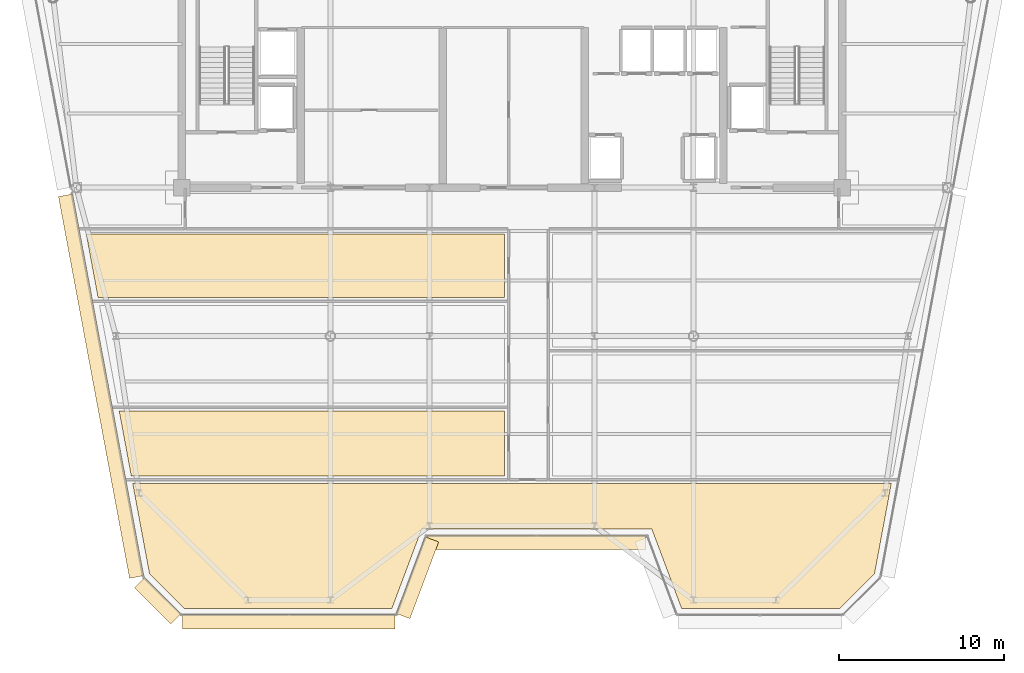
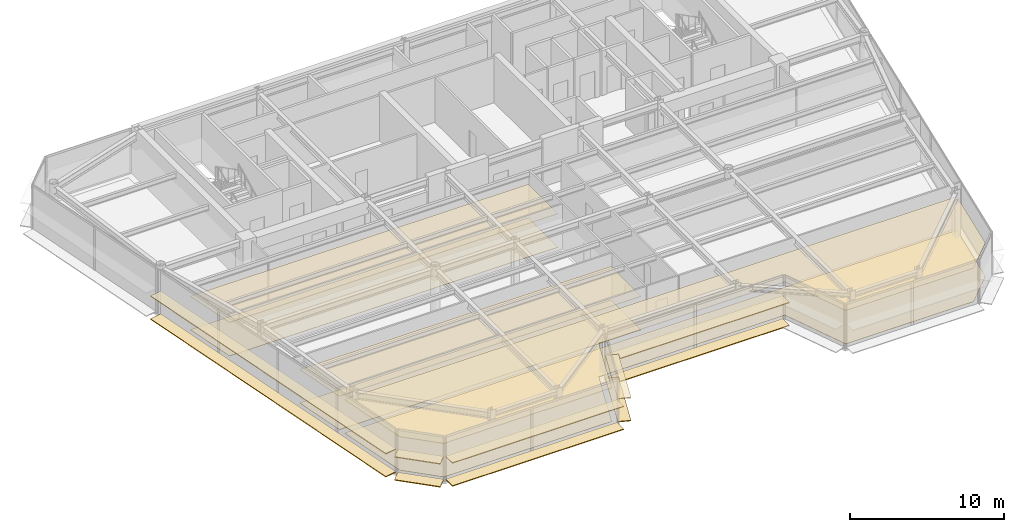
# One storey, part 12 of 18: 16 coverings.
"""IFC4 building model written with IfcOpenShell, lengths in metres."""

import ifcopenshell
import ifcopenshell.guid

model = None  # the IFC model being written
_history = None  # IfcOwnerHistory: only IFC2X3 demands one
_inside = {}  # id of a spatial element -> (the spatial element, [elements in it])
_under = {}  # id of a project, library or spatial element -> (it, [spatial elements below it])
_declared = {}  # id of a project -> (the project, [libraries it declares])
_typed = {}  # id of a type object -> (the type object, [elements of that type])
_made_of = {}  # id of a material, layer set ... -> (it, [elements and type objects made of it])


def new_model(schema):
    """Start an empty IFC model of exactly this schema.

    Asked for "IFC4X3", IfcOpenShell would pick the latest addendum, in which some entities
    have other attributes; the version numbers below select the first issue.
    IFC2X3 requires an IfcOwnerHistory on every rooted entity: one is made here for all.
    """
    global model, _history
    if schema == "IFC4X3":
        model = ifcopenshell.file(schema_version=(4, 3, 0, 0))
    else:
        model = ifcopenshell.file(schema=schema)
    _inside.clear()
    _under.clear()
    _declared.clear()
    _typed.clear()
    _made_of.clear()
    _history = None
    if model.schema == "IFC2X3":
        org = make("IfcOrganization", Name="unknown")
        user = make(
            "IfcPersonAndOrganization",
            ThePerson=make("IfcPerson", FamilyName="unknown"),
            TheOrganization=org,
        )
        app = make(
            "IfcApplication",
            ApplicationDeveloper=org,
            Version="unknown",
            ApplicationFullName="unknown",
            ApplicationIdentifier="unknown",
        )
        _history = make(
            "IfcOwnerHistory",
            OwningUser=user,
            OwningApplication=app,
            ChangeAction="ADDED",
            CreationDate=0,
        )
    return model


def make(cls, **values):
    """One entity of the class cls with the attributes given. An attribute that is None is left unset."""
    return model.create_entity(
        cls, **{name: value for name, value in values.items() if value is not None}
    )


def rooted(cls, **values):
    """An entity with a GlobalId (a new one), such as an element, a storey or a relation."""
    return make(cls, GlobalId=ifcopenshell.guid.new(), OwnerHistory=_history, **values)


def si_unit(unit_type, name, prefix=None):
    """IfcSIUnit, for example si_unit("LENGTHUNIT", "METRE", prefix="MILLI")."""
    return make("IfcSIUnit", UnitType=unit_type, Prefix=prefix, Name=name)


def assignment(units):
    """IfcUnitAssignment: the units of a project."""
    return None if units is None else make("IfcUnitAssignment", Units=units)


def point(xyz):
    """IfcCartesianPoint."""
    return None if xyz is None else make("IfcCartesianPoint", Coordinates=xyz)


def direction(xyz):
    """IfcDirection."""
    return None if xyz is None else make("IfcDirection", DirectionRatios=xyz)


def frame(location, z_axis=None, x_axis=None):
    """IfcAxis2Placement3D, a coordinate frame: its origin and axes. An axis left out is left unset."""
    return make(
        "IfcAxis2Placement3D",
        Location=point(location),
        Axis=direction(z_axis),
        RefDirection=direction(x_axis),
    )


def frame_2d(location, x_axis=None):
    """IfcAxis2Placement2D, a coordinate frame in the plane: its origin and x axis."""
    return make(
        "IfcAxis2Placement2D", Location=point(location), RefDirection=direction(x_axis)
    )


def origin():
    """The frame at (0, 0, 0) with its axes left unset."""
    return frame((0.0, 0.0, 0.0))


def origin_2d():
    """The frame at (0, 0) in the plane with its x axis left unset."""
    return frame_2d((0.0, 0.0))


def place(relative_to, where):
    """IfcLocalPlacement: puts the frame where relative to a parent placement (None: the world)."""
    return make(
        "IfcLocalPlacement", PlacementRelTo=relative_to, RelativePlacement=where
    )


def context(
    kind, dimensions, precision=None, world=None, true_north=None, identifier=None
):
    """IfcGeometricRepresentationContext, for example the 3D "Model" context."""
    return make(
        "IfcGeometricRepresentationContext",
        ContextIdentifier=identifier,
        ContextType=kind,
        CoordinateSpaceDimension=dimensions,
        Precision=precision,
        WorldCoordinateSystem=world,
        TrueNorth=true_north,
    )


def subcontext(parent, identifier, kind, view, scale=None):
    """IfcGeometricRepresentationSubContext, for example "Body" below "Model"."""
    return make(
        "IfcGeometricRepresentationSubContext",
        ContextIdentifier=identifier,
        ContextType=kind,
        ParentContext=parent,
        TargetScale=scale,
        TargetView=view,
    )


def project(units=None, contexts=None):
    """IfcProject with its units and contexts."""
    return rooted(
        "IfcProject",
        Name="project",
        RepresentationContexts=contexts,
        UnitsInContext=assignment(units),
    )


def spatial(cls, under=None, at=None, **own):
    """A site, building, storey or space (cls), placed at a placement, below another one or the project."""
    s = rooted(cls, ObjectPlacement=at, **own)
    if under is not None:
        _under.setdefault(under.id(), (under, []))[1].append(s)
    return s


def polyline(points):
    """IfcPolyline through the points."""
    return make("IfcPolyline", Points=[point(p) for p in points])


def profile(cls, at=None, kind="AREA", **sizes):
    """A parametric profile (cls). Its sizes go by their IFC names, for example OverallWidth=200.0."""
    return make(cls, ProfileType=kind, Position=at, **sizes)


def rectangle(**sizes):
    """IfcRectangleProfileDef."""
    return profile("IfcRectangleProfileDef", **sizes)


def outline(outer, holes=None, kind="AREA"):
    """IfcArbitraryClosedProfileDef: a profile drawn as a closed curve; with holes, ...WithVoids."""
    if holes is None:
        return make("IfcArbitraryClosedProfileDef", ProfileType=kind, OuterCurve=outer)
    return make(
        "IfcArbitraryProfileDefWithVoids",
        ProfileType=kind,
        OuterCurve=outer,
        InnerCurves=holes,
    )


def extrude(swept, where, along, depth):
    """IfcExtrudedAreaSolid: the profile swept, set in the frame where, extruded along a direction by depth."""
    return make(
        "IfcExtrudedAreaSolid",
        SweptArea=swept,
        Position=where,
        ExtrudedDirection=direction(along),
        Depth=depth,
    )


def shape(context_of_items, identifier, shape_type, items):
    """IfcShapeRepresentation: the items that make up one representation, for example the "Body"."""
    return make(
        "IfcShapeRepresentation",
        ContextOfItems=context_of_items,
        RepresentationIdentifier=identifier,
        RepresentationType=shape_type,
        Items=items,
    )


def source(mapping_origin, context_of_items, identifier, shape_type, items):
    """IfcRepresentationMap: a shape defined once, which mapped items show again and again."""
    return make(
        "IfcRepresentationMap",
        MappingOrigin=mapping_origin,
        MappedRepresentation=shape(context_of_items, identifier, shape_type, items),
    )


def transform(
    local_origin,
    x_axis=None,
    y_axis=None,
    z_axis=None,
    scale=None,
    scale2=None,
    scale3=None,
    uniform=True,
):
    """IfcCartesianTransformationOperator3D, or its non-uniform kind. x_axis, y_axis, z_axis: its Axis1, 2, 3."""
    if uniform:
        return make(
            "IfcCartesianTransformationOperator3D",
            Axis1=direction(x_axis),
            Axis2=direction(y_axis),
            LocalOrigin=point(local_origin),
            Scale=scale,
            Axis3=direction(z_axis),
        )
    return make(
        "IfcCartesianTransformationOperator3DnonUniform",
        Axis1=direction(x_axis),
        Axis2=direction(y_axis),
        LocalOrigin=point(local_origin),
        Scale=scale,
        Axis3=direction(z_axis),
        Scale2=scale2,
        Scale3=scale3,
    )


def mapped(mapping_source, mapping_target):
    """IfcMappedItem: shows the shape of a source again, moved by a transform."""
    return make(
        "IfcMappedItem", MappingSource=mapping_source, MappingTarget=mapping_target
    )


def material(Name=None, Category=None):
    """IfcMaterial."""
    return make("IfcMaterial", Name=Name, Category=Category)


def layer(
    of_material, thickness, ventilated=None, Name=None, Category=None, Priority=None
):
    """IfcMaterialLayer: one layer of a wall or slab, of a material (None: an air gap)."""
    return make(
        "IfcMaterialLayer",
        Material=of_material,
        LayerThickness=thickness,
        IsVentilated=ventilated,
        Name=Name,
        Category=Category,
        Priority=Priority,
    )


def layer_set(layers, Name=None):
    """IfcMaterialLayerSet."""
    return make("IfcMaterialLayerSet", MaterialLayers=layers, LayerSetName=Name)


def made_of(thing, what):
    """Note that an element or type object is made of a material, layer set ...; save() writes the relation."""
    if what is not None:
        _made_of.setdefault(what.id(), (what, []))[1].append(thing)
    return thing


def type_object(cls, material=None, **own):
    """A type object (cls), such as IfcWallType, which elements share."""
    return made_of(rooted(cls, **own), material)


def element(
    cls,
    number,
    at=None,
    inside=None,
    cuts=None,
    type_object=None,
    material=None,
    context=None,
    identifier="Body",
    shape_type=None,
    held_by="IfcProductDefinitionShape",
    body=None,
    shapes=None,
    **own,
):
    """One element of the class cls, such as IfcWall. Its Tag is "e" and its number.

    at: its placement. inside: the storey or other place that contains it. cuts: it is an
    opening in that element (IfcRelVoidsElement). A single representation is given by context,
    identifier, shape_type and body (its items); several are given by shapes. held_by: the class
    of the entity that holds the representations. save() writes the other relations.
    """
    e = rooted(cls, Tag="e%d" % number, ObjectPlacement=at, **own)
    if body is not None:
        shapes = [shape(context, identifier, shape_type, body)]
    if shapes is not None:
        e.Representation = make(held_by, Representations=shapes)
    if inside is not None:
        _inside.setdefault(inside.id(), (inside, []))[1].append(e)
    if cuts is not None:
        rooted(
            "IfcRelVoidsElement", RelatingBuildingElement=cuts, RelatedOpeningElement=e
        )
    if type_object is not None:
        _typed.setdefault(type_object.id(), (type_object, []))[1].append(e)
    return made_of(e, material)


def aggregate(whole, parts):
    """IfcRelAggregates: a whole, such as a stair, and the parts it consists of."""
    return rooted("IfcRelAggregates", RelatingObject=whole, RelatedObjects=parts)


def save(model, path):
    """Write the relations noted so far, then the file.

    IfcRelAggregates (storeys below a building ...), IfcRelContainedInSpatialStructure (elements
    in a storey), IfcRelDefinesByType, IfcRelAssociatesMaterial and IfcRelDeclares: one each for
    every whole, place, type object, material and project.
    """
    for whole, parts in _under.values():
        aggregate(whole, parts)
    for where, things in _inside.values():
        rooted(
            "IfcRelContainedInSpatialStructure",
            RelatedElements=things,
            RelatingStructure=where,
        )
    for kind, things in _typed.values():
        rooted("IfcRelDefinesByType", RelatedObjects=things, RelatingType=kind)
    for what, things in _made_of.values():
        rooted("IfcRelAssociatesMaterial", RelatedObjects=things, RelatingMaterial=what)
    for by, libraries in _declared.values():
        rooted("IfcRelDeclares", RelatingContext=by, RelatedDefinitions=libraries)
    model.write(path)


model = new_model("IFC4")

# Units and contexts
model_context = context("Model", 3, precision=1e-05, world=origin(), true_north=direction((0.0, 1.0)))
body_context = subcontext(model_context, "Body", "Model", "MODEL_VIEW")
ifc_project = project(units=[si_unit("LENGTHUNIT", "METRE"), si_unit("AREAUNIT", "SQUARE_METRE"), si_unit("VOLUMEUNIT", "CUBIC_METRE"), si_unit("PLANEANGLEUNIT", "RADIAN"), si_unit("MASSUNIT", "GRAM", prefix="KILO")], contexts=[model_context])

# Site, building, storey
site_placement = place(None, origin())
site = spatial("IfcSite", under=ifc_project, at=site_placement, CompositionType="ELEMENT")
building_placement = place(site_placement, origin())
building = spatial("IfcBuilding", under=site, at=building_placement, Name="Vaeldorn Concourse Tower", CompositionType="ELEMENT")
storey_placement = place(building_placement, frame((0.0, 0.0, 257.39990234375)))
storey = spatial("IfcBuildingStorey", under=building, at=storey_placement, Name="L66", CompositionType="ELEMENT", Elevation=257.39990234375)

# Coverings
ifc_material_1 = material(Name="Acoustic Mineral Fibre Board", Category="gypsum")
ifc_layer_1 = layer(ifc_material_1, 0.0400390625)
ifc_layer_set_1 = layer_set([ifc_layer_1], Name="Acoustic Mineral Fibre Board")
covering_type_1 = type_object("IfcCoveringType", Name="COV-CEIL-ACOUSTIC", PredefinedType="CEILING", material=ifc_layer_set_1)
covering_1_placement = place(storey_placement, frame((0.0, 0.0, 2.650146484375)))
element("IfcCovering", 1, at=covering_1_placement, inside=storey, type_object=covering_type_1, Name="Suspended Acoustic Ceiling L66-5", PredefinedType="CEILING", context=body_context, shape_type="SweptSolid", body=[
    extrude(outline(polyline([(33.56005859375, 22.9599609375), (33.56005859375, 19.0400390625), (10.9296875, 19.0400390625), (10.19970703125, 22.9599609375), (33.56005859375, 22.9599609375)])), origin(), (0.0, 0.0, 1.0), 0.0400390625),
])
covering_2_placement = place(storey_placement, frame((0.0, 0.0, 2.650146484375)))
element("IfcCovering", 2, at=covering_2_placement, inside=storey, type_object=covering_type_1, Name="Suspended Acoustic Ceiling L66-7", PredefinedType="CEILING", context=body_context, shape_type="SweptSolid", body=[
    extrude(outline(polyline([(33.56005859375, 33.699951171875), (33.56005859375, 29.840087890625), (8.918701171875, 29.840087890625), (8.199951171875, 33.699951171875), (33.56005859375, 33.699951171875)])), origin(), (0.0, 0.0, 1.0), 0.0400390625),
])
covering_3_placement = place(storey_placement, frame((0.0, 0.0, 2.650146484375)))
element("IfcCovering", 3, at=covering_3_placement, inside=storey, type_object=covering_type_1, Name="Suspended Acoustic Ceiling L66-10", PredefinedType="CEILING", context=body_context, shape_type="SweptSolid", body=[
    extrude(outline(polyline([(56.98095703125, 18.56005859375), (56.936767578125, 18.322021484375), (56.8330078125, 17.76513671875), (56.455322265625, 15.735595703125), (56.455078125, 15.735595703125), (55.96337890625, 13.09521484375), (53.868408203125, 11.0), (44.277099609375, 11.0), (42.477294921875, 15.800048828125), (28.522705078125, 15.800048828125), (26.722900390625, 11.0), (14.131591796875, 11.0), (12.03662109375, 13.09521484375), (11.683349609375, 14.991455078125), (11.1669921875, 17.76513671875), (11.01904296875, 18.56005859375), (56.98095703125, 18.56005859375)])), origin(), (0.0, 0.0, 1.0), 0.0400390625),
])
ifc_material_2 = material(Name="Honed Limestone Terrazzo Flooring", Category="masonry")
ifc_layer_2 = layer(ifc_material_2, 0.0400390625)
ifc_layer_set_2 = layer_set([ifc_layer_2], Name="Honed Limestone Terrazzo Flooring")
covering_type_2 = type_object("IfcCoveringType", Name="COV-FLOOR-STONE", PredefinedType="FLOORING", material=ifc_layer_set_2)
covering_4_placement = place(storey_placement, origin())
element("IfcCovering", 4, at=covering_4_placement, inside=storey, type_object=covering_type_2, Name="Floor Finish Covering L66-5", PredefinedType="FLOORING", context=body_context, shape_type="SweptSolid", body=[
    extrude(outline(polyline([(33.56005859375, 22.9599609375), (33.56005859375, 19.0400390625), (10.9296875, 19.0400390625), (10.19970703125, 22.9599609375), (33.56005859375, 22.9599609375)])), origin(), (0.0, 0.0, 1.0), 0.030029296875),
])
covering_5_placement = place(storey_placement, origin())
element("IfcCovering", 5, at=covering_5_placement, inside=storey, type_object=covering_type_2, Name="Floor Finish Covering L66-7", PredefinedType="FLOORING", context=body_context, shape_type="SweptSolid", body=[
    extrude(outline(polyline([(33.56005859375, 33.699951171875), (33.56005859375, 29.840087890625), (8.918701171875, 29.840087890625), (8.199951171875, 33.699951171875), (33.56005859375, 33.699951171875)])), origin(), (0.0, 0.0, 1.0), 0.030029296875),
])
covering_6_placement = place(storey_placement, origin())
element("IfcCovering", 6, at=covering_6_placement, inside=storey, type_object=covering_type_2, Name="Floor Finish Covering L66-10", PredefinedType="FLOORING", context=body_context, shape_type="SweptSolid", body=[
    extrude(outline(polyline([(56.98095703125, 18.56005859375), (56.936767578125, 18.322021484375), (56.8330078125, 17.76513671875), (56.455322265625, 15.735595703125), (56.455078125, 15.735595703125), (55.96337890625, 13.09521484375), (53.868408203125, 11.0), (44.277099609375, 11.0), (42.477294921875, 15.800048828125), (28.522705078125, 15.800048828125), (26.722900390625, 11.0), (14.131591796875, 11.0), (12.03662109375, 13.09521484375), (11.683349609375, 14.991455078125), (11.1669921875, 17.76513671875), (11.01904296875, 18.56005859375), (56.98095703125, 18.56005859375)])), origin(), (0.0, 0.0, 1.0), 0.030029296875),
])
ifc_material_3 = material(Name="Anodised Bronze Aluminium", Category="aluminium")
ifc_layer_3 = layer(ifc_material_3, 0.06494140625)
ifc_layer_set_3 = layer_set([ifc_layer_3], Name="Anodised Bronze Aluminium")
covering_type_3 = type_object("IfcCoveringType", Name="SD-BRONZE-SUNSHADE", PredefinedType="USERDEFINED", material=ifc_layer_set_3)
shared_shape_1 = source(origin(), body_context, "Body", "SweptSolid", [
    extrude(rectangle(XDim=4.96630859375, YDim=0.8798828125, at=origin_2d()), origin(), (0.0, 0.0, 1.0), 0.06494140625),
])
for number, where, z_axis, x_axis, name in (
    (7, (28.2744140625, 12.859619140625, 0.047607421875), (0.0, 0.0, 1.0), (0.351122702609, 0.936329454686, 0.0), "Horizontal Bronze Sunshade L66-E02.1.1"),
    (8, (28.2744140625, 12.859619140625, 1.86767578125), (0.0, 0.0, 1.0), (0.351122702609, 0.936329454686, 0.0), "Horizontal Bronze Sunshade L66-E02.1.2"),
):
    element("IfcCovering", number, at=place(storey_placement, frame(where, z_axis=z_axis, x_axis=x_axis)), inside=storey, type_object=covering_type_3, Name=name, ObjectType="SUNSHADE", PredefinedType="USERDEFINED", context=body_context, shape_type="MappedRepresentation", body=[
        mapped(shared_shape_1, transform((0.0, 0.0, 0.0), scale=1.0)),
    ])
shared_shape_2 = source(origin(), body_context, "Body", "SweptSolid", [
    extrude(rectangle(XDim=13.239990234375, YDim=0.8798828125, at=origin_2d()), origin(), (0.0, 0.0, 1.0), 0.06494140625),
])
for number, where, z_axis, x_axis, name in (
    (9, (35.5, 15.0, 0.047607421875), (0.0, 0.0, 1.0), (1.0, 0.0, 0.0), "Horizontal Bronze Sunshade L66-E03.1.1"),
    (10, (35.5, 15.0, 1.86767578125), (0.0, 0.0, 1.0), (1.0, 0.0, 0.0), "Horizontal Bronze Sunshade L66-E03.1.2"),
):
    element("IfcCovering", number, at=place(storey_placement, frame(where, z_axis=z_axis, x_axis=x_axis)), inside=storey, type_object=covering_type_3, Name=name, ObjectType="SUNSHADE", PredefinedType="USERDEFINED", context=body_context, shape_type="MappedRepresentation", body=[
        mapped(shared_shape_2, transform((0.0, 0.0, 0.0), scale=1.0)),
    ])
shared_shape_3 = source(origin(), body_context, "Body", "SweptSolid", [
    extrude(rectangle(XDim=3.0927734375, YDim=0.8798828125, at=origin_2d()), origin(), (0.0, 0.0, 1.0), 0.06494140625),
])
for number, where, z_axis, x_axis, name in (
    (11, (12.533203125, 11.46728515625, 0.047607421875), (0.0, 0.0, 1.0), (0.707106781187, -0.707106781187, 0.0), "Horizontal Bronze Sunshade L66-E12.1.1"),
    (12, (12.533203125, 11.46728515625, 1.86767578125), (0.0, 0.0, 1.0), (0.707106781187, -0.707106781187, 0.0), "Horizontal Bronze Sunshade L66-E12.1.2"),
):
    element("IfcCovering", number, at=place(storey_placement, frame(where, z_axis=z_axis, x_axis=x_axis)), inside=storey, type_object=covering_type_3, Name=name, ObjectType="SUNSHADE", PredefinedType="USERDEFINED", context=body_context, shape_type="MappedRepresentation", body=[
        mapped(shared_shape_3, transform((0.0, 0.0, 0.0), scale=1.0)),
    ])
shared_shape_4 = source(origin(), body_context, "Body", "SweptSolid", [
    extrude(rectangle(XDim=23.525146484375, YDim=0.8798828125, at=origin_2d()), origin(), (0.0, 0.0, 1.0), 0.06494140625),
])
for number, where, z_axis, x_axis, name in (
    (13, (9.10498046875, 24.46923828125, 0.047607421875), (0.0, 0.0, 1.0), (0.183059191151, -0.983101893262, 0.0), "Horizontal Bronze Sunshade L66-E11.2.1"),
    (14, (9.10498046875, 24.46923828125, 1.86767578125), (0.0, 0.0, 1.0), (0.183059191151, -0.983101893262, 0.0), "Horizontal Bronze Sunshade L66-E11.2.2"),
):
    element("IfcCovering", number, at=place(storey_placement, frame(where, z_axis=z_axis, x_axis=x_axis)), inside=storey, type_object=covering_type_3, Name=name, ObjectType="SUNSHADE", PredefinedType="USERDEFINED", context=body_context, shape_type="MappedRepresentation", body=[
        mapped(shared_shape_4, transform((0.0, 0.0, 0.0), scale=1.0)),
    ])
shared_shape_5 = source(origin(), body_context, "Body", "SweptSolid", [
    extrude(rectangle(XDim=12.8740234375, YDim=0.8798828125, at=origin_2d()), origin(), (0.0, 0.0, 1.0), 0.06494140625),
])
for number, where, z_axis, x_axis, name in (
    (15, (20.48291015625, 10.199951171875, 0.047607421875), (0.0, 0.0, 1.0), (1.0, 0.0, 0.0), "Horizontal Bronze Sunshade L66-E01.1.1"),
    (16, (20.48291015625, 10.199951171875, 1.86767578125), (0.0, 0.0, 1.0), (1.0, 0.0, 0.0), "Horizontal Bronze Sunshade L66-E01.1.2"),
):
    element("IfcCovering", number, at=place(storey_placement, frame(where, z_axis=z_axis, x_axis=x_axis)), inside=storey, type_object=covering_type_3, Name=name, ObjectType="SUNSHADE", PredefinedType="USERDEFINED", context=body_context, shape_type="MappedRepresentation", body=[
        mapped(shared_shape_5, transform((0.0, 0.0, 0.0), scale=1.0)),
    ])

save(model, "model.ifc")
